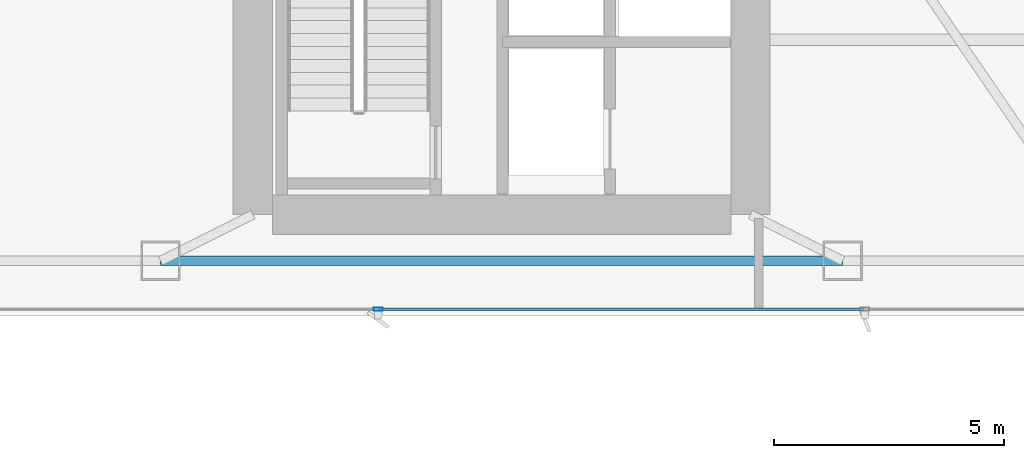
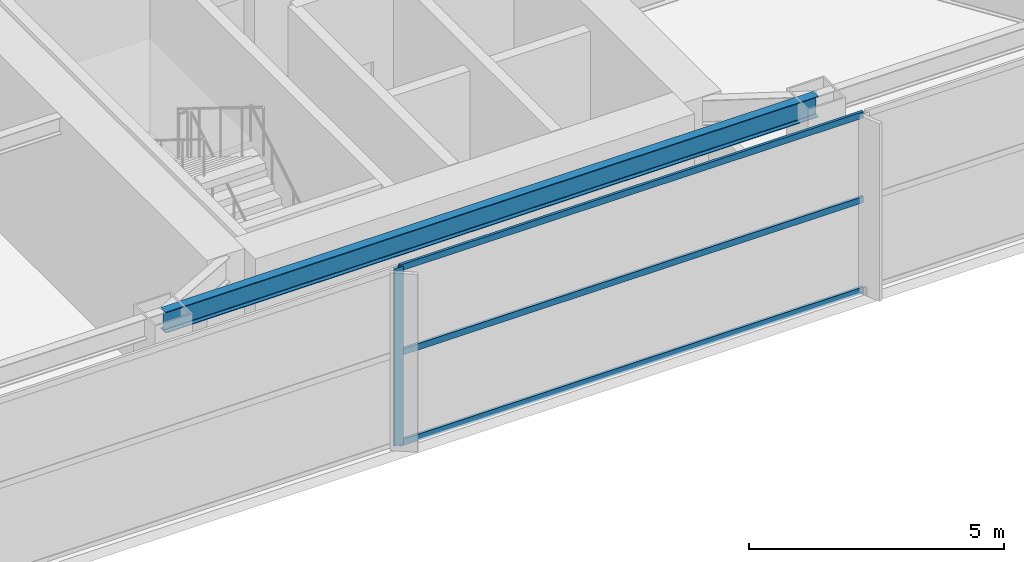
# One storey, part 5 of 26: 4 members, 1 beam, 1 element without a shape of its own.
"""IFC4 building model written with IfcOpenShell, lengths in metres."""

import ifcopenshell
import ifcopenshell.guid

model = None  # the IFC model being written
_history = None  # IfcOwnerHistory: only IFC2X3 demands one
_inside = {}  # id of a spatial element -> (the spatial element, [elements in it])
_under = {}  # id of a project, library or spatial element -> (it, [spatial elements below it])
_declared = {}  # id of a project -> (the project, [libraries it declares])
_typed = {}  # id of a type object -> (the type object, [elements of that type])
_made_of = {}  # id of a material, layer set ... -> (it, [elements and type objects made of it])


def new_model(schema):
    """Start an empty IFC model of exactly this schema.

    Asked for "IFC4X3", IfcOpenShell would pick the latest addendum, in which some entities
    have other attributes; the version numbers below select the first issue.
    IFC2X3 requires an IfcOwnerHistory on every rooted entity: one is made here for all.
    """
    global model, _history
    if schema == "IFC4X3":
        model = ifcopenshell.file(schema_version=(4, 3, 0, 0))
    else:
        model = ifcopenshell.file(schema=schema)
    _inside.clear()
    _under.clear()
    _declared.clear()
    _typed.clear()
    _made_of.clear()
    _history = None
    if model.schema == "IFC2X3":
        org = make("IfcOrganization", Name="unknown")
        user = make(
            "IfcPersonAndOrganization",
            ThePerson=make("IfcPerson", FamilyName="unknown"),
            TheOrganization=org,
        )
        app = make(
            "IfcApplication",
            ApplicationDeveloper=org,
            Version="unknown",
            ApplicationFullName="unknown",
            ApplicationIdentifier="unknown",
        )
        _history = make(
            "IfcOwnerHistory",
            OwningUser=user,
            OwningApplication=app,
            ChangeAction="ADDED",
            CreationDate=0,
        )
    return model


def make(cls, **values):
    """One entity of the class cls with the attributes given. An attribute that is None is left unset."""
    return model.create_entity(
        cls, **{name: value for name, value in values.items() if value is not None}
    )


def rooted(cls, **values):
    """An entity with a GlobalId (a new one), such as an element, a storey or a relation."""
    return make(cls, GlobalId=ifcopenshell.guid.new(), OwnerHistory=_history, **values)


def si_unit(unit_type, name, prefix=None):
    """IfcSIUnit, for example si_unit("LENGTHUNIT", "METRE", prefix="MILLI")."""
    return make("IfcSIUnit", UnitType=unit_type, Prefix=prefix, Name=name)


def assignment(units):
    """IfcUnitAssignment: the units of a project."""
    return None if units is None else make("IfcUnitAssignment", Units=units)


def point(xyz):
    """IfcCartesianPoint."""
    return None if xyz is None else make("IfcCartesianPoint", Coordinates=xyz)


def direction(xyz):
    """IfcDirection."""
    return None if xyz is None else make("IfcDirection", DirectionRatios=xyz)


def frame(location, z_axis=None, x_axis=None):
    """IfcAxis2Placement3D, a coordinate frame: its origin and axes. An axis left out is left unset."""
    return make(
        "IfcAxis2Placement3D",
        Location=point(location),
        Axis=direction(z_axis),
        RefDirection=direction(x_axis),
    )


def frame_2d(location, x_axis=None):
    """IfcAxis2Placement2D, a coordinate frame in the plane: its origin and x axis."""
    return make(
        "IfcAxis2Placement2D", Location=point(location), RefDirection=direction(x_axis)
    )


def origin():
    """The frame at (0, 0, 0) with its axes left unset."""
    return frame((0.0, 0.0, 0.0))


def origin_2d():
    """The frame at (0, 0) in the plane with its x axis left unset."""
    return frame_2d((0.0, 0.0))


def place(relative_to, where):
    """IfcLocalPlacement: puts the frame where relative to a parent placement (None: the world)."""
    return make(
        "IfcLocalPlacement", PlacementRelTo=relative_to, RelativePlacement=where
    )


def context(
    kind, dimensions, precision=None, world=None, true_north=None, identifier=None
):
    """IfcGeometricRepresentationContext, for example the 3D "Model" context."""
    return make(
        "IfcGeometricRepresentationContext",
        ContextIdentifier=identifier,
        ContextType=kind,
        CoordinateSpaceDimension=dimensions,
        Precision=precision,
        WorldCoordinateSystem=world,
        TrueNorth=true_north,
    )


def subcontext(parent, identifier, kind, view, scale=None):
    """IfcGeometricRepresentationSubContext, for example "Body" below "Model"."""
    return make(
        "IfcGeometricRepresentationSubContext",
        ContextIdentifier=identifier,
        ContextType=kind,
        ParentContext=parent,
        TargetScale=scale,
        TargetView=view,
    )


def project(units=None, contexts=None):
    """IfcProject with its units and contexts."""
    return rooted(
        "IfcProject",
        Name="project",
        RepresentationContexts=contexts,
        UnitsInContext=assignment(units),
    )


def spatial(cls, under=None, at=None, **own):
    """A site, building, storey or space (cls), placed at a placement, below another one or the project."""
    s = rooted(cls, ObjectPlacement=at, **own)
    if under is not None:
        _under.setdefault(under.id(), (under, []))[1].append(s)
    return s


def profile(cls, at=None, kind="AREA", **sizes):
    """A parametric profile (cls). Its sizes go by their IFC names, for example OverallWidth=200.0."""
    return make(cls, ProfileType=kind, Position=at, **sizes)


def hollow_rectangle(**sizes):
    """IfcRectangleHollowProfileDef."""
    return profile("IfcRectangleHollowProfileDef", **sizes)


def i_section(**sizes):
    """IfcIShapeProfileDef."""
    return profile("IfcIShapeProfileDef", **sizes)


def extrude(swept, where, along, depth):
    """IfcExtrudedAreaSolid: the profile swept, set in the frame where, extruded along a direction by depth."""
    return make(
        "IfcExtrudedAreaSolid",
        SweptArea=swept,
        Position=where,
        ExtrudedDirection=direction(along),
        Depth=depth,
    )


def shape(context_of_items, identifier, shape_type, items):
    """IfcShapeRepresentation: the items that make up one representation, for example the "Body"."""
    return make(
        "IfcShapeRepresentation",
        ContextOfItems=context_of_items,
        RepresentationIdentifier=identifier,
        RepresentationType=shape_type,
        Items=items,
    )


def material(Name=None, Category=None):
    """IfcMaterial."""
    return make("IfcMaterial", Name=Name, Category=Category)


def layer(
    of_material, thickness, ventilated=None, Name=None, Category=None, Priority=None
):
    """IfcMaterialLayer: one layer of a wall or slab, of a material (None: an air gap)."""
    return make(
        "IfcMaterialLayer",
        Material=of_material,
        LayerThickness=thickness,
        IsVentilated=ventilated,
        Name=Name,
        Category=Category,
        Priority=Priority,
    )


def layer_set(layers, Name=None):
    """IfcMaterialLayerSet."""
    return make("IfcMaterialLayerSet", MaterialLayers=layers, LayerSetName=Name)


def material_profile(
    of_material, cross_section, Name=None, Category=None, Priority=None
):
    """IfcMaterialProfile: a cross section and its material."""
    return make(
        "IfcMaterialProfile",
        Name=Name,
        Material=of_material,
        Profile=cross_section,
        Priority=Priority,
        Category=Category,
    )


def profile_set(profiles, Name=None, composite=None):
    """IfcMaterialProfileSet."""
    return make(
        "IfcMaterialProfileSet",
        Name=Name,
        MaterialProfiles=profiles,
        CompositeProfile=composite,
    )


def made_of(thing, what):
    """Note that an element or type object is made of a material, layer set ...; save() writes the relation."""
    if what is not None:
        _made_of.setdefault(what.id(), (what, []))[1].append(thing)
    return thing


def type_object(cls, material=None, **own):
    """A type object (cls), such as IfcWallType, which elements share."""
    return made_of(rooted(cls, **own), material)


def element(
    cls,
    number,
    at=None,
    inside=None,
    cuts=None,
    type_object=None,
    material=None,
    context=None,
    identifier="Body",
    shape_type=None,
    held_by="IfcProductDefinitionShape",
    body=None,
    shapes=None,
    **own,
):
    """One element of the class cls, such as IfcWall. Its Tag is "e" and its number.

    at: its placement. inside: the storey or other place that contains it. cuts: it is an
    opening in that element (IfcRelVoidsElement). A single representation is given by context,
    identifier, shape_type and body (its items); several are given by shapes. held_by: the class
    of the entity that holds the representations. save() writes the other relations.
    """
    e = rooted(cls, Tag="e%d" % number, ObjectPlacement=at, **own)
    if body is not None:
        shapes = [shape(context, identifier, shape_type, body)]
    if shapes is not None:
        e.Representation = make(held_by, Representations=shapes)
    if inside is not None:
        _inside.setdefault(inside.id(), (inside, []))[1].append(e)
    if cuts is not None:
        rooted(
            "IfcRelVoidsElement", RelatingBuildingElement=cuts, RelatedOpeningElement=e
        )
    if type_object is not None:
        _typed.setdefault(type_object.id(), (type_object, []))[1].append(e)
    return made_of(e, material)


def aggregate(whole, parts):
    """IfcRelAggregates: a whole, such as a stair, and the parts it consists of."""
    return rooted("IfcRelAggregates", RelatingObject=whole, RelatedObjects=parts)


def save(model, path):
    """Write the relations noted so far, then the file.

    IfcRelAggregates (storeys below a building ...), IfcRelContainedInSpatialStructure (elements
    in a storey), IfcRelDefinesByType, IfcRelAssociatesMaterial and IfcRelDeclares: one each for
    every whole, place, type object, material and project.
    """
    for whole, parts in _under.values():
        aggregate(whole, parts)
    for where, things in _inside.values():
        rooted(
            "IfcRelContainedInSpatialStructure",
            RelatedElements=things,
            RelatingStructure=where,
        )
    for kind, things in _typed.values():
        rooted("IfcRelDefinesByType", RelatedObjects=things, RelatingType=kind)
    for what, things in _made_of.values():
        rooted("IfcRelAssociatesMaterial", RelatedObjects=things, RelatingMaterial=what)
    for by, libraries in _declared.values():
        rooted("IfcRelDeclares", RelatingContext=by, RelatedDefinitions=libraries)
    model.write(path)


model = new_model("IFC4")

# Units and contexts
model_context = context("Model", 3, precision=1e-05, world=origin(), true_north=direction((0.0, 1.0)))
body_context = subcontext(model_context, "Body", "Model", "MODEL_VIEW")
ifc_project = project(units=[si_unit("LENGTHUNIT", "METRE"), si_unit("AREAUNIT", "SQUARE_METRE"), si_unit("VOLUMEUNIT", "CUBIC_METRE"), si_unit("PLANEANGLEUNIT", "RADIAN"), si_unit("MASSUNIT", "GRAM", prefix="KILO")], contexts=[model_context])

# Site, building, storey
site_placement = place(None, origin())
site = spatial("IfcSite", under=ifc_project, at=site_placement, CompositionType="ELEMENT")
building_placement = place(site_placement, origin())
building = spatial("IfcBuilding", under=site, at=building_placement, Name="Calvorn Quay Hotel", CompositionType="ELEMENT")
storey_placement = place(building_placement, frame((0.0, 0.0, 144.0)))
storey = spatial("IfcBuildingStorey", under=building, at=storey_placement, Name="L35", CompositionType="ELEMENT", Elevation=144.0)

# Beam
ifc_material_1 = material(Name="Steel Q355B", Category="steel")
ifc_material_profile_1 = material_profile(ifc_material_1, i_section(OverallWidth=0.199951171875, OverallDepth=0.5, WebThickness=0.010009765625, FlangeThickness=0.01611328125, FilletRadius=0.01611328125, at=origin_2d()), Name="HN500x200x10x16")
ifc_profile_set_1 = profile_set([ifc_material_profile_1], Name="Steel Q355B")
beam_type = type_object("IfcBeamType", Name="BM-SPANDREL-Z1", PredefinedType="SPANDREL", material=ifc_profile_set_1)
beam_placement = place(storey_placement, frame((19.60009765625, 3.60009765625, 3.989990234375), z_axis=(1.0, 0.0, 0.0), x_axis=(0.0, 1.0, 0.0)))
element("IfcBeam", 1, at=beam_placement, inside=storey, type_object=beam_type, Name="Beam BSP-L35-S3", PredefinedType="SPANDREL", context=body_context, shape_type="SweptSolid", body=[
    extrude(i_section(OverallWidth=0.199951171875, OverallDepth=0.5, WebThickness=0.010009765625, FlangeThickness=0.01611328125, FilletRadius=0.01611328125, at=origin_2d()), origin(), (0.0, 0.0, 1.0), 14.7998046875),
])

# Curtain wall, members
ifc_material_2 = material(Name="Pale Anodised Aluminium and Low-E Glass", Category="aluminium")
ifc_layer = layer(ifc_material_2, 0.219970703125)
ifc_layer_set = layer_set([ifc_layer], Name="CW-SYS-Z2")
curtain_wall_type = type_object("IfcCurtainWallType", Name="CW-SYS-Z2", PredefinedType="NOTDEFINED", material=ifc_layer_set)
curtain_wall_placement = place(storey_placement, origin())
curtain_wall = element("IfcCurtainWall", 2, at=curtain_wall_placement, inside=storey, type_object=curtain_wall_type, Name="Tower South Waterfront Curtain Wall (L35)", PredefinedType="NOTDEFINED")
ifc_material_3 = material(Name="Pale Anodised Aluminium 6063-T6", Category="aluminium")
ifc_material_profile_2 = material_profile(ifc_material_3, hollow_rectangle(XDim=0.070068359375, YDim=0.199951171875, WallThickness=0.00390625, at=origin_2d()), Name="ALU-M200x70x4")
ifc_profile_set_2 = profile_set([ifc_material_profile_2], Name="Pale Anodised Aluminium 6063-T6")
member_type_1 = type_object("IfcMemberType", Name="CW-SYS-Z2-MUL", PredefinedType="MULLION", material=ifc_profile_set_2)
member_1_placement = place(storey_placement, frame((24.320068359375, 2.550048828125, 0.0), z_axis=(0.0, 0.0, 1.0), x_axis=(0.0, 1.0, 0.0)))
member_1 = element("IfcMember", 3, at=member_1_placement, type_object=member_type_1, Name="CW-L35-S mullion 3", PredefinedType="MULLION", context=body_context, shape_type="SweptSolid", body=[
    extrude(hollow_rectangle(XDim=0.070068359375, YDim=0.199951171875, WallThickness=0.00390625, at=origin_2d()), origin(), (0.0, 0.0, 1.0), 4.260009765625),
])
ifc_material_4 = material(Name="Pale Anodised Aluminium 6063-T6", Category="aluminium")
ifc_material_profile_3 = material_profile(ifc_material_4, hollow_rectangle(XDim=0.06005859375, YDim=0.14990234375, WallThickness=0.00341796875, at=origin_2d()), Name="ALU-T150x60x3.5")
ifc_profile_set_3 = profile_set([ifc_material_profile_3], Name="Pale Anodised Aluminium 6063-T6")
member_type_2 = type_object("IfcMemberType", Name="CW-SYS-Z2-TRN", PredefinedType="USERDEFINED", material=ifc_profile_set_3)
member_2_placement = place(storey_placement, frame((24.35009765625, 2.550048828125, 0.030029296875), z_axis=(1.0, 0.0, 0.0), x_axis=(0.0, 1.0, 0.0)))
member_2 = element("IfcMember", 4, at=member_2_placement, type_object=member_type_2, Name="CW-L35-S transom 3.1", ObjectType="TRANSOM", PredefinedType="USERDEFINED", context=body_context, shape_type="SweptSolid", body=[
    extrude(hollow_rectangle(XDim=0.06005859375, YDim=0.14990234375, WallThickness=0.00341796875, at=origin_2d()), origin(), (0.0, 0.0, 1.0), 10.5),
])
member_3_placement = place(storey_placement, frame((24.35009765625, 2.550048828125, 2.199951171875), z_axis=(1.0, 0.0, 0.0), x_axis=(0.0, 1.0, 0.0)))
member_3 = element("IfcMember", 5, at=member_3_placement, type_object=member_type_2, Name="CW-L35-S transom 3.2", ObjectType="TRANSOM", PredefinedType="USERDEFINED", context=body_context, shape_type="SweptSolid", body=[
    extrude(hollow_rectangle(XDim=0.06005859375, YDim=0.14990234375, WallThickness=0.00341796875, at=origin_2d()), origin(), (0.0, 0.0, 1.0), 10.5),
])
member_4_placement = place(storey_placement, frame((24.35009765625, 2.550048828125, 4.22998046875), z_axis=(1.0, 0.0, 0.0), x_axis=(0.0, 1.0, 0.0)))
member_4 = element("IfcMember", 6, at=member_4_placement, type_object=member_type_2, Name="CW-L35-S transom 3.3", ObjectType="TRANSOM", PredefinedType="USERDEFINED", context=body_context, shape_type="SweptSolid", body=[
    extrude(hollow_rectangle(XDim=0.06005859375, YDim=0.14990234375, WallThickness=0.00341796875, at=origin_2d()), origin(), (0.0, 0.0, 1.0), 10.5),
])
aggregate(curtain_wall, [member_1, member_2, member_3, member_4])

save(model, "model.ifc")
